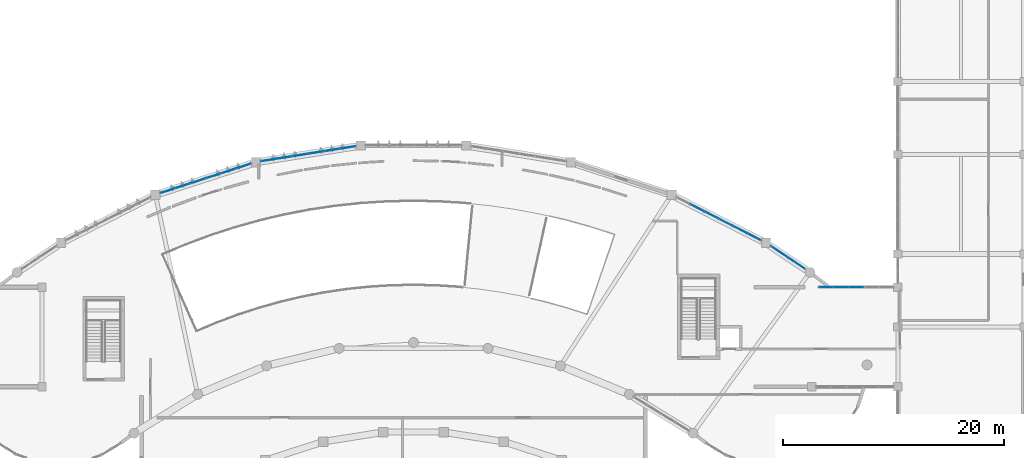
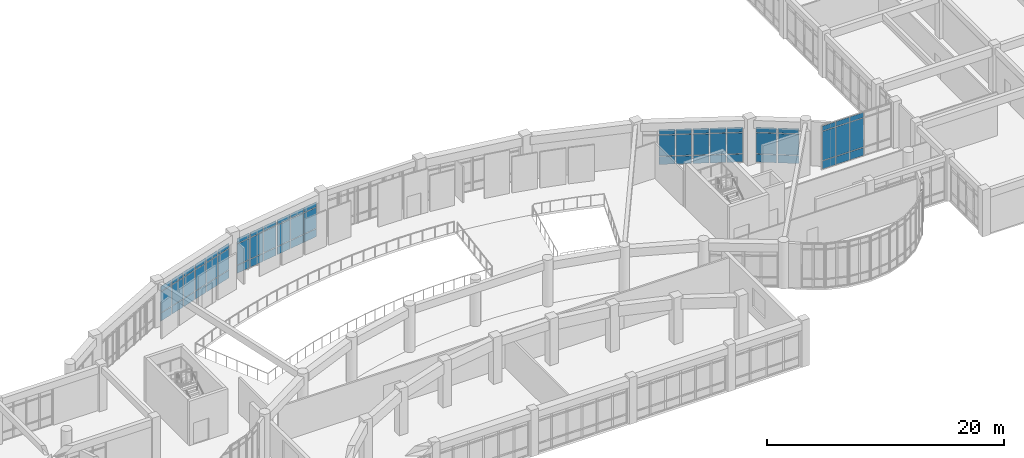
# One storey, part 43 of 68: 66 plates, 9 elements without a shape of their own.
"""IFC4 building model written with IfcOpenShell, lengths in metres."""

from ifc_helpers import new_model, si_unit, direction, frame, origin, origin_2d, place, context, subcontext, project, spatial, rectangle, extrude, material, layer, layer_set, type_object, element, aggregate, save


model = new_model("IFC4")

# Units and contexts
model_context = context("Model", 3, precision=1e-05, world=origin(), true_north=direction((0.0, 1.0)))
body_context = subcontext(model_context, "Body", "Model", "MODEL_VIEW")
ifc_project = project(units=[si_unit("LENGTHUNIT", "METRE"), si_unit("AREAUNIT", "SQUARE_METRE"), si_unit("VOLUMEUNIT", "CUBIC_METRE"), si_unit("PLANEANGLEUNIT", "RADIAN"), si_unit("MASSUNIT", "GRAM", prefix="KILO")], contexts=[model_context])

# Site, building, storey
site_placement = place(None, origin())
site = spatial("IfcSite", under=ifc_project, at=site_placement, CompositionType="ELEMENT")
building_placement = place(site_placement, origin())
building = spatial("IfcBuilding", under=site, at=building_placement, Name="Miralva Faculty of Natural Sciences", CompositionType="ELEMENT")
storey_placement = place(building_placement, frame((0.0, 0.0, 5.39990234375)))
storey = spatial("IfcBuildingStorey", under=building, at=storey_placement, Name="L01", CompositionType="ELEMENT", Elevation=5.39990234375)

# Curtain wall, plates
ifc_material = material(Name="Laminated solar-control glass", Category="glass")
ifc_layer_1 = layer(ifc_material, 0.179931640625, Name="CW-ARC-L01")
ifc_layer_set_1 = layer_set([ifc_layer_1], Name="Laminated solar-control glass")
curtain_wall_type_1 = type_object("IfcCurtainWallType", Name="CW-ARC-L01", PredefinedType="USERDEFINED", material=ifc_layer_set_1)
curtain_wall_1_placement = place(storey_placement, origin())
curtain_wall_1 = element("IfcCurtainWall", 1, at=curtain_wall_1_placement, inside=storey, type_object=curtain_wall_type_1, Name="Curtain wall CW-02 L01-35", ObjectType="UNITISED CURTAIN WALL", PredefinedType="USERDEFINED")
ifc_layer_2 = layer(ifc_material, 0.028076171875, Name="PNL-P01")
ifc_layer_set_2 = layer_set([ifc_layer_2], Name="Laminated solar-control glass")
plate_type = type_object("IfcPlateType", Name="PNL-P01", PredefinedType="CURTAIN_PANEL", material=ifc_layer_set_2)
plate_1_placement = place(storey_placement, frame((67.775146484375, 35.72021484375, 0.06005859375), z_axis=(0.0, 0.0, 1.0), x_axis=(0.951059906679, 0.309006559651, 0.0)))
plate_1 = element("IfcPlate", 2, at=plate_1_placement, type_object=plate_type, Name="CW-02 panel 1.1", PredefinedType="CURTAIN_PANEL", context=body_context, shape_type="SweptSolid", body=[
    extrude(rectangle(XDim=1.352783203125, YDim=0.028076171875, at=origin_2d()), origin(), (0.0, 0.0, 1.0), 0.81005859375),
])
plate_2_placement = place(storey_placement, frame((67.775146484375, 35.72021484375, 0.93017578125), z_axis=(0.0, 0.0, 1.0), x_axis=(0.951059906679, 0.309006559651, 0.0)))
plate_2 = element("IfcPlate", 3, at=plate_2_placement, type_object=plate_type, Name="CW-02 panel 1.2", PredefinedType="CURTAIN_PANEL", context=body_context, shape_type="SweptSolid", body=[
    extrude(rectangle(XDim=1.352783203125, YDim=0.028076171875, at=origin_2d()), origin(), (0.0, 0.0, 1.0), 2.14501953125),
])
plate_3_placement = place(storey_placement, frame((67.775146484375, 35.72021484375, 3.13525390625), z_axis=(0.0, 0.0, 1.0), x_axis=(0.951059906679, 0.309006559651, 0.0)))
plate_3 = element("IfcPlate", 4, at=plate_3_placement, type_object=plate_type, Name="CW-02 panel 1.3", PredefinedType="CURTAIN_PANEL", context=body_context, shape_type="SweptSolid", body=[
    extrude(rectangle(XDim=1.352783203125, YDim=0.028076171875, at=origin_2d()), origin(), (0.0, 0.0, 1.0), 0.510009765625),
])
plate_4_placement = place(storey_placement, frame((69.13916015625, 36.163330078125, 0.06005859375), z_axis=(0.0, 0.0, 1.0), x_axis=(0.951059906679, 0.309006559651, 0.0)))
plate_4 = element("IfcPlate", 5, at=plate_4_placement, type_object=plate_type, Name="CW-02 panel 2.1", PredefinedType="CURTAIN_PANEL", context=body_context, shape_type="SweptSolid", body=[
    extrude(rectangle(XDim=1.38525390625, YDim=0.028076171875, at=origin_2d()), origin(), (0.0, 0.0, 1.0), 0.81005859375),
])
plate_5_placement = place(storey_placement, frame((69.13916015625, 36.163330078125, 0.93017578125), z_axis=(0.0, 0.0, 1.0), x_axis=(0.951059906679, 0.309006559651, 0.0)))
plate_5 = element("IfcPlate", 6, at=plate_5_placement, type_object=plate_type, Name="CW-02 panel 2.2", PredefinedType="CURTAIN_PANEL", context=body_context, shape_type="SweptSolid", body=[
    extrude(rectangle(XDim=1.38525390625, YDim=0.028076171875, at=origin_2d()), origin(), (0.0, 0.0, 1.0), 2.14501953125),
])
plate_6_placement = place(storey_placement, frame((69.13916015625, 36.163330078125, 3.13525390625), z_axis=(0.0, 0.0, 1.0), x_axis=(0.951059906679, 0.309006559651, 0.0)))
plate_6 = element("IfcPlate", 7, at=plate_6_placement, type_object=plate_type, Name="CW-02 panel 2.3", PredefinedType="CURTAIN_PANEL", context=body_context, shape_type="SweptSolid", body=[
    extrude(rectangle(XDim=1.38525390625, YDim=0.028076171875, at=origin_2d()), origin(), (0.0, 0.0, 1.0), 0.510009765625),
])
plate_7_placement = place(storey_placement, frame((70.5029296875, 36.6064453125, 0.06005859375), z_axis=(0.0, 0.0, 1.0), x_axis=(0.951059906679, 0.309006559651, 0.0)))
plate_7 = element("IfcPlate", 8, at=plate_7_placement, type_object=plate_type, Name="CW-02 panel 3.1", PredefinedType="CURTAIN_PANEL", context=body_context, shape_type="SweptSolid", body=[
    extrude(rectangle(XDim=1.352783203125, YDim=0.028076171875, at=origin_2d()), origin(), (0.0, 0.0, 1.0), 0.81005859375),
])
plate_8_placement = place(storey_placement, frame((70.5029296875, 36.6064453125, 0.93017578125), z_axis=(0.0, 0.0, 1.0), x_axis=(0.951059906679, 0.309006559651, 0.0)))
plate_8 = element("IfcPlate", 9, at=plate_8_placement, type_object=plate_type, Name="CW-02 panel 3.2", PredefinedType="CURTAIN_PANEL", context=body_context, shape_type="SweptSolid", body=[
    extrude(rectangle(XDim=1.352783203125, YDim=0.028076171875, at=origin_2d()), origin(), (0.0, 0.0, 1.0), 2.14501953125),
])
plate_9_placement = place(storey_placement, frame((70.5029296875, 36.6064453125, 3.13525390625), z_axis=(0.0, 0.0, 1.0), x_axis=(0.951059906679, 0.309006559651, 0.0)))
plate_9 = element("IfcPlate", 10, at=plate_9_placement, type_object=plate_type, Name="CW-02 panel 3.3", PredefinedType="CURTAIN_PANEL", context=body_context, shape_type="SweptSolid", body=[
    extrude(rectangle(XDim=1.352783203125, YDim=0.028076171875, at=origin_2d()), origin(), (0.0, 0.0, 1.0), 0.510009765625),
])
aggregate(curtain_wall_1, [plate_1, plate_2, plate_3, plate_4, plate_5, plate_6, plate_7, plate_8, plate_9])

curtain_wall_2_placement = place(storey_placement, origin())
curtain_wall_2 = element("IfcCurtainWall", 11, at=curtain_wall_2_placement, inside=storey, type_object=curtain_wall_type_1, Name="Curtain wall CW-02 L01-36", ObjectType="UNITISED CURTAIN WALL", PredefinedType="USERDEFINED")
plate_10_placement = place(storey_placement, frame((71.9091796875, 37.0634765625, 0.06005859375), z_axis=(0.0, 0.0, 1.0), x_axis=(0.951061732686, 0.309000939514, 0.0)))
plate_10 = element("IfcPlate", 12, at=plate_10_placement, type_object=plate_type, Name="CW-02 panel 1.1", PredefinedType="CURTAIN_PANEL", context=body_context, shape_type="SweptSolid", body=[
    extrude(rectangle(XDim=1.3544921875, YDim=0.028076171875, at=origin_2d()), origin(), (0.0, 0.0, 1.0), 0.81005859375),
])
plate_11_placement = place(storey_placement, frame((71.9091796875, 37.0634765625, 0.93017578125), z_axis=(0.0, 0.0, 1.0), x_axis=(0.951061732686, 0.309000939514, 0.0)))
plate_11 = element("IfcPlate", 13, at=plate_11_placement, type_object=plate_type, Name="CW-02 panel 1.2", PredefinedType="CURTAIN_PANEL", context=body_context, shape_type="SweptSolid", body=[
    extrude(rectangle(XDim=1.3544921875, YDim=0.028076171875, at=origin_2d()), origin(), (0.0, 0.0, 1.0), 2.14501953125),
])
plate_12_placement = place(storey_placement, frame((71.9091796875, 37.0634765625, 3.13525390625), z_axis=(0.0, 0.0, 1.0), x_axis=(0.951061732686, 0.309000939514, 0.0)))
plate_12 = element("IfcPlate", 14, at=plate_12_placement, type_object=plate_type, Name="CW-02 panel 1.3", PredefinedType="CURTAIN_PANEL", context=body_context, shape_type="SweptSolid", body=[
    extrude(rectangle(XDim=1.3544921875, YDim=0.028076171875, at=origin_2d()), origin(), (0.0, 0.0, 1.0), 0.510009765625),
])
plate_13_placement = place(storey_placement, frame((73.274658203125, 37.507080078125, 0.06005859375), z_axis=(0.0, 0.0, 1.0), x_axis=(0.951061732686, 0.309000939514, 0.0)))
plate_13 = element("IfcPlate", 15, at=plate_13_placement, type_object=plate_type, Name="CW-02 panel 2.1", PredefinedType="CURTAIN_PANEL", context=body_context, shape_type="SweptSolid", body=[
    extrude(rectangle(XDim=1.386962890625, YDim=0.028076171875, at=origin_2d()), origin(), (0.0, 0.0, 1.0), 0.81005859375),
])
plate_14_placement = place(storey_placement, frame((73.274658203125, 37.507080078125, 0.93017578125), z_axis=(0.0, 0.0, 1.0), x_axis=(0.951061732686, 0.309000939514, 0.0)))
plate_14 = element("IfcPlate", 16, at=plate_14_placement, type_object=plate_type, Name="CW-02 panel 2.2", PredefinedType="CURTAIN_PANEL", context=body_context, shape_type="SweptSolid", body=[
    extrude(rectangle(XDim=1.386962890625, YDim=0.028076171875, at=origin_2d()), origin(), (0.0, 0.0, 1.0), 2.14501953125),
])
plate_15_placement = place(storey_placement, frame((73.274658203125, 37.507080078125, 3.13525390625), z_axis=(0.0, 0.0, 1.0), x_axis=(0.951061732686, 0.309000939514, 0.0)))
plate_15 = element("IfcPlate", 17, at=plate_15_placement, type_object=plate_type, Name="CW-02 panel 2.3", PredefinedType="CURTAIN_PANEL", context=body_context, shape_type="SweptSolid", body=[
    extrude(rectangle(XDim=1.386962890625, YDim=0.028076171875, at=origin_2d()), origin(), (0.0, 0.0, 1.0), 0.510009765625),
])
plate_16_placement = place(storey_placement, frame((74.64013671875, 37.95068359375, 0.06005859375), z_axis=(0.0, 0.0, 1.0), x_axis=(0.951061732686, 0.309000939514, 0.0)))
plate_16 = element("IfcPlate", 18, at=plate_16_placement, type_object=plate_type, Name="CW-02 panel 3.1", PredefinedType="CURTAIN_PANEL", context=body_context, shape_type="SweptSolid", body=[
    extrude(rectangle(XDim=1.3544921875, YDim=0.028076171875, at=origin_2d()), origin(), (0.0, 0.0, 1.0), 0.81005859375),
])
plate_17_placement = place(storey_placement, frame((74.64013671875, 37.95068359375, 0.93017578125), z_axis=(0.0, 0.0, 1.0), x_axis=(0.951061732686, 0.309000939514, 0.0)))
plate_17 = element("IfcPlate", 19, at=plate_17_placement, type_object=plate_type, Name="CW-02 panel 3.2", PredefinedType="CURTAIN_PANEL", context=body_context, shape_type="SweptSolid", body=[
    extrude(rectangle(XDim=1.3544921875, YDim=0.028076171875, at=origin_2d()), origin(), (0.0, 0.0, 1.0), 2.14501953125),
])
plate_18_placement = place(storey_placement, frame((74.64013671875, 37.95068359375, 3.13525390625), z_axis=(0.0, 0.0, 1.0), x_axis=(0.951061732686, 0.309000939514, 0.0)))
plate_18 = element("IfcPlate", 20, at=plate_18_placement, type_object=plate_type, Name="CW-02 panel 3.3", PredefinedType="CURTAIN_PANEL", context=body_context, shape_type="SweptSolid", body=[
    extrude(rectangle(XDim=1.3544921875, YDim=0.028076171875, at=origin_2d()), origin(), (0.0, 0.0, 1.0), 0.510009765625),
])
aggregate(curtain_wall_2, [plate_10, plate_11, plate_12, plate_13, plate_14, plate_15, plate_16, plate_17, plate_18])

curtain_wall_3_placement = place(storey_placement, origin())
curtain_wall_3 = element("IfcCurtainWall", 21, at=curtain_wall_3_placement, inside=storey, type_object=curtain_wall_type_1, Name="Curtain wall CW-02 L01-37", ObjectType="UNITISED CURTAIN WALL", PredefinedType="USERDEFINED")
plate_19_placement = place(storey_placement, frame((76.9052734375, 38.49609375, 0.06005859375), z_axis=(0.0, 0.0, 1.0), x_axis=(0.987687538377, 0.15643952996, 0.0)))
plate_19 = element("IfcPlate", 22, at=plate_19_placement, type_object=plate_type, Name="CW-02 panel 1.1", PredefinedType="CURTAIN_PANEL", context=body_context, shape_type="SweptSolid", body=[
    extrude(rectangle(XDim=1.359619140625, YDim=0.028076171875, at=origin_2d()), origin(), (0.0, 0.0, 1.0), 0.81005859375),
])
plate_20_placement = place(storey_placement, frame((76.9052734375, 38.49609375, 0.93017578125), z_axis=(0.0, 0.0, 1.0), x_axis=(0.987687538377, 0.15643952996, 0.0)))
plate_20 = element("IfcPlate", 23, at=plate_20_placement, type_object=plate_type, Name="CW-02 panel 1.2", PredefinedType="CURTAIN_PANEL", context=body_context, shape_type="SweptSolid", body=[
    extrude(rectangle(XDim=1.359619140625, YDim=0.028076171875, at=origin_2d()), origin(), (0.0, 0.0, 1.0), 2.14501953125),
])
plate_21_placement = place(storey_placement, frame((76.9052734375, 38.49609375, 3.13525390625), z_axis=(0.0, 0.0, 1.0), x_axis=(0.987687538377, 0.15643952996, 0.0)))
plate_21 = element("IfcPlate", 24, at=plate_21_placement, type_object=plate_type, Name="CW-02 panel 1.3", PredefinedType="CURTAIN_PANEL", context=body_context, shape_type="SweptSolid", body=[
    extrude(rectangle(XDim=1.359619140625, YDim=0.028076171875, at=origin_2d()), origin(), (0.0, 0.0, 1.0), 0.510009765625),
])
plate_22_placement = place(storey_placement, frame((78.328369140625, 38.721435546875, 0.06005859375), z_axis=(0.0, 0.0, 1.0), x_axis=(0.987687538377, 0.15643952996, 0.0)))
plate_22 = element("IfcPlate", 25, at=plate_22_placement, type_object=plate_type, Name="CW-02 panel 2.1", PredefinedType="CURTAIN_PANEL", context=body_context, shape_type="SweptSolid", body=[
    extrude(rectangle(XDim=1.39208984375, YDim=0.028076171875, at=origin_2d()), origin(), (0.0, 0.0, 1.0), 0.81005859375),
])
plate_23_placement = place(storey_placement, frame((78.328369140625, 38.721435546875, 0.93017578125), z_axis=(0.0, 0.0, 1.0), x_axis=(0.987687538377, 0.15643952996, 0.0)))
plate_23 = element("IfcPlate", 26, at=plate_23_placement, type_object=plate_type, Name="CW-02 panel 2.2", PredefinedType="CURTAIN_PANEL", context=body_context, shape_type="SweptSolid", body=[
    extrude(rectangle(XDim=1.39208984375, YDim=0.028076171875, at=origin_2d()), origin(), (0.0, 0.0, 1.0), 2.14501953125),
])
plate_24_placement = place(storey_placement, frame((78.328369140625, 38.721435546875, 3.13525390625), z_axis=(0.0, 0.0, 1.0), x_axis=(0.987687538377, 0.15643952996, 0.0)))
plate_24 = element("IfcPlate", 27, at=plate_24_placement, type_object=plate_type, Name="CW-02 panel 2.3", PredefinedType="CURTAIN_PANEL", context=body_context, shape_type="SweptSolid", body=[
    extrude(rectangle(XDim=1.39208984375, YDim=0.028076171875, at=origin_2d()), origin(), (0.0, 0.0, 1.0), 0.510009765625),
])
plate_25_placement = place(storey_placement, frame((79.751220703125, 38.94677734375, 0.06005859375), z_axis=(0.0, 0.0, 1.0), x_axis=(0.987687538377, 0.15643952996, 0.0)))
plate_25 = element("IfcPlate", 28, at=plate_25_placement, type_object=plate_type, Name="CW-02 panel 3.1", PredefinedType="CURTAIN_PANEL", context=body_context, shape_type="SweptSolid", body=[
    extrude(rectangle(XDim=1.359619140625, YDim=0.028076171875, at=origin_2d()), origin(), (0.0, 0.0, 1.0), 0.81005859375),
])
plate_26_placement = place(storey_placement, frame((79.751220703125, 38.94677734375, 0.93017578125), z_axis=(0.0, 0.0, 1.0), x_axis=(0.987687538377, 0.15643952996, 0.0)))
plate_26 = element("IfcPlate", 29, at=plate_26_placement, type_object=plate_type, Name="CW-02 panel 3.2", PredefinedType="CURTAIN_PANEL", context=body_context, shape_type="SweptSolid", body=[
    extrude(rectangle(XDim=1.359619140625, YDim=0.028076171875, at=origin_2d()), origin(), (0.0, 0.0, 1.0), 2.14501953125),
])
plate_27_placement = place(storey_placement, frame((79.751220703125, 38.94677734375, 3.13525390625), z_axis=(0.0, 0.0, 1.0), x_axis=(0.987687538377, 0.15643952996, 0.0)))
plate_27 = element("IfcPlate", 30, at=plate_27_placement, type_object=plate_type, Name="CW-02 panel 3.3", PredefinedType="CURTAIN_PANEL", context=body_context, shape_type="SweptSolid", body=[
    extrude(rectangle(XDim=1.359619140625, YDim=0.028076171875, at=origin_2d()), origin(), (0.0, 0.0, 1.0), 0.510009765625),
])
aggregate(curtain_wall_3, [plate_19, plate_20, plate_21, plate_22, plate_23, plate_24, plate_25, plate_26, plate_27])

curtain_wall_4_placement = place(storey_placement, origin())
curtain_wall_4 = element("IfcCurtainWall", 31, at=curtain_wall_4_placement, inside=storey, type_object=curtain_wall_type_1, Name="Curtain wall CW-02 L01-38", ObjectType="UNITISED CURTAIN WALL", PredefinedType="USERDEFINED")
plate_28_placement = place(storey_placement, frame((81.218505859375, 39.17919921875, 0.06005859375), z_axis=(0.0, 0.0, 1.0), x_axis=(0.987690225624, 0.156422562973, 0.0)))
plate_28 = element("IfcPlate", 32, at=plate_28_placement, type_object=plate_type, Name="CW-02 panel 1.1", PredefinedType="CURTAIN_PANEL", context=body_context, shape_type="SweptSolid", body=[
    extrude(rectangle(XDim=1.361083984375, YDim=0.028076171875, at=origin_2d()), origin(), (0.0, 0.0, 1.0), 0.81005859375),
])
plate_29_placement = place(storey_placement, frame((81.218505859375, 39.17919921875, 0.93017578125), z_axis=(0.0, 0.0, 1.0), x_axis=(0.987690225624, 0.156422562973, 0.0)))
plate_29 = element("IfcPlate", 33, at=plate_29_placement, type_object=plate_type, Name="CW-02 panel 1.2", PredefinedType="CURTAIN_PANEL", context=body_context, shape_type="SweptSolid", body=[
    extrude(rectangle(XDim=1.361083984375, YDim=0.028076171875, at=origin_2d()), origin(), (0.0, 0.0, 1.0), 2.14501953125),
])
plate_30_placement = place(storey_placement, frame((81.218505859375, 39.17919921875, 3.13525390625), z_axis=(0.0, 0.0, 1.0), x_axis=(0.987690225624, 0.156422562973, 0.0)))
plate_30 = element("IfcPlate", 34, at=plate_30_placement, type_object=plate_type, Name="CW-02 panel 1.3", PredefinedType="CURTAIN_PANEL", context=body_context, shape_type="SweptSolid", body=[
    extrude(rectangle(XDim=1.361083984375, YDim=0.028076171875, at=origin_2d()), origin(), (0.0, 0.0, 1.0), 0.510009765625),
])
plate_31_placement = place(storey_placement, frame((82.64306640625, 39.40478515625, 0.06005859375), z_axis=(0.0, 0.0, 1.0), x_axis=(0.987690225624, 0.156422562973, 0.0)))
plate_31 = element("IfcPlate", 35, at=plate_31_placement, type_object=plate_type, Name="CW-02 panel 2.1", PredefinedType="CURTAIN_PANEL", context=body_context, shape_type="SweptSolid", body=[
    extrude(rectangle(XDim=1.3935546875, YDim=0.028076171875, at=origin_2d()), origin(), (0.0, 0.0, 1.0), 0.81005859375),
])
plate_32_placement = place(storey_placement, frame((82.64306640625, 39.40478515625, 0.93017578125), z_axis=(0.0, 0.0, 1.0), x_axis=(0.987690225624, 0.156422562973, 0.0)))
plate_32 = element("IfcPlate", 36, at=plate_32_placement, type_object=plate_type, Name="CW-02 panel 2.2", PredefinedType="CURTAIN_PANEL", context=body_context, shape_type="SweptSolid", body=[
    extrude(rectangle(XDim=1.3935546875, YDim=0.028076171875, at=origin_2d()), origin(), (0.0, 0.0, 1.0), 2.14501953125),
])
plate_33_placement = place(storey_placement, frame((82.64306640625, 39.40478515625, 3.13525390625), z_axis=(0.0, 0.0, 1.0), x_axis=(0.987690225624, 0.156422562973, 0.0)))
plate_33 = element("IfcPlate", 37, at=plate_33_placement, type_object=plate_type, Name="CW-02 panel 2.3", PredefinedType="CURTAIN_PANEL", context=body_context, shape_type="SweptSolid", body=[
    extrude(rectangle(XDim=1.3935546875, YDim=0.028076171875, at=origin_2d()), origin(), (0.0, 0.0, 1.0), 0.510009765625),
])
plate_34_placement = place(storey_placement, frame((84.067626953125, 39.63037109375, 0.06005859375), z_axis=(0.0, 0.0, 1.0), x_axis=(0.987690225624, 0.156422562973, 0.0)))
plate_34 = element("IfcPlate", 38, at=plate_34_placement, type_object=plate_type, Name="CW-02 panel 3.1", PredefinedType="CURTAIN_PANEL", context=body_context, shape_type="SweptSolid", body=[
    extrude(rectangle(XDim=1.361083984375, YDim=0.028076171875, at=origin_2d()), origin(), (0.0, 0.0, 1.0), 0.81005859375),
])
plate_35_placement = place(storey_placement, frame((84.067626953125, 39.63037109375, 0.93017578125), z_axis=(0.0, 0.0, 1.0), x_axis=(0.987690225624, 0.156422562973, 0.0)))
plate_35 = element("IfcPlate", 39, at=plate_35_placement, type_object=plate_type, Name="CW-02 panel 3.2", PredefinedType="CURTAIN_PANEL", context=body_context, shape_type="SweptSolid", body=[
    extrude(rectangle(XDim=1.361083984375, YDim=0.028076171875, at=origin_2d()), origin(), (0.0, 0.0, 1.0), 2.14501953125),
])
plate_36_placement = place(storey_placement, frame((84.067626953125, 39.63037109375, 3.13525390625), z_axis=(0.0, 0.0, 1.0), x_axis=(0.987690225624, 0.156422562973, 0.0)))
plate_36 = element("IfcPlate", 40, at=plate_36_placement, type_object=plate_type, Name="CW-02 panel 3.3", PredefinedType="CURTAIN_PANEL", context=body_context, shape_type="SweptSolid", body=[
    extrude(rectangle(XDim=1.361083984375, YDim=0.028076171875, at=origin_2d()), origin(), (0.0, 0.0, 1.0), 0.510009765625),
])
aggregate(curtain_wall_4, [plate_28, plate_29, plate_30, plate_31, plate_32, plate_33, plate_34, plate_35, plate_36])

curtain_wall_5_placement = place(storey_placement, origin())
curtain_wall_5 = element("IfcCurtainWall", 41, at=curtain_wall_5_placement, inside=storey, type_object=curtain_wall_type_1, Name="Curtain wall CW-02 L01-43", ObjectType="UNITISED CURTAIN WALL", PredefinedType="USERDEFINED")
plate_37_placement = place(storey_placement, frame((115.68310546875, 34.164794921875, 0.06005859375), z_axis=(0.0, 0.0, 1.0), x_axis=(0.89101812581, -0.453967729556, 0.0)))
plate_37 = element("IfcPlate", 42, at=plate_37_placement, type_object=plate_type, Name="CW-02 panel 2.1", PredefinedType="CURTAIN_PANEL", context=body_context, shape_type="SweptSolid", body=[
    extrude(rectangle(XDim=1.375244140625, YDim=0.028076171875, at=origin_2d()), origin(), (0.0, 0.0, 1.0), 0.81005859375),
])
plate_38_placement = place(storey_placement, frame((115.68310546875, 34.164794921875, 0.93017578125), z_axis=(0.0, 0.0, 1.0), x_axis=(0.89101812581, -0.453967729556, 0.0)))
plate_38 = element("IfcPlate", 43, at=plate_38_placement, type_object=plate_type, Name="CW-02 panel 2.2", PredefinedType="CURTAIN_PANEL", context=body_context, shape_type="SweptSolid", body=[
    extrude(rectangle(XDim=1.375244140625, YDim=0.028076171875, at=origin_2d()), origin(), (0.0, 0.0, 1.0), 2.14501953125),
])
plate_39_placement = place(storey_placement, frame((115.68310546875, 34.164794921875, 3.13525390625), z_axis=(0.0, 0.0, 1.0), x_axis=(0.89101812581, -0.453967729556, 0.0)))
plate_39 = element("IfcPlate", 44, at=plate_39_placement, type_object=plate_type, Name="CW-02 panel 2.3", PredefinedType="CURTAIN_PANEL", context=body_context, shape_type="SweptSolid", body=[
    extrude(rectangle(XDim=1.375244140625, YDim=0.028076171875, at=origin_2d()), origin(), (0.0, 0.0, 1.0), 0.510009765625),
])
plate_40_placement = place(storey_placement, frame((116.951904296875, 33.518310546875, 0.06005859375), z_axis=(0.0, 0.0, 1.0), x_axis=(0.89101812581, -0.453967729556, 0.0)))
plate_40 = element("IfcPlate", 45, at=plate_40_placement, type_object=plate_type, Name="CW-02 panel 3.1", PredefinedType="CURTAIN_PANEL", context=body_context, shape_type="SweptSolid", body=[
    extrude(rectangle(XDim=1.3427734375, YDim=0.028076171875, at=origin_2d()), origin(), (0.0, 0.0, 1.0), 0.81005859375),
])
plate_41_placement = place(storey_placement, frame((116.951904296875, 33.518310546875, 0.93017578125), z_axis=(0.0, 0.0, 1.0), x_axis=(0.89101812581, -0.453967729556, 0.0)))
plate_41 = element("IfcPlate", 46, at=plate_41_placement, type_object=plate_type, Name="CW-02 panel 3.2", PredefinedType="CURTAIN_PANEL", context=body_context, shape_type="SweptSolid", body=[
    extrude(rectangle(XDim=1.3427734375, YDim=0.028076171875, at=origin_2d()), origin(), (0.0, 0.0, 1.0), 2.14501953125),
])
plate_42_placement = place(storey_placement, frame((116.951904296875, 33.518310546875, 3.13525390625), z_axis=(0.0, 0.0, 1.0), x_axis=(0.89101812581, -0.453967729556, 0.0)))
plate_42 = element("IfcPlate", 47, at=plate_42_placement, type_object=plate_type, Name="CW-02 panel 3.3", PredefinedType="CURTAIN_PANEL", context=body_context, shape_type="SweptSolid", body=[
    extrude(rectangle(XDim=1.3427734375, YDim=0.028076171875, at=origin_2d()), origin(), (0.0, 0.0, 1.0), 0.510009765625),
])
aggregate(curtain_wall_5, [plate_37, plate_38, plate_39, plate_40, plate_41, plate_42])

curtain_wall_6_placement = place(storey_placement, origin())
curtain_wall_6 = element("IfcCurtainWall", 48, at=curtain_wall_6_placement, inside=storey, type_object=curtain_wall_type_1, Name="Curtain wall CW-02 L01-44", ObjectType="UNITISED CURTAIN WALL", PredefinedType="USERDEFINED")
plate_43_placement = place(storey_placement, frame((118.260498046875, 32.8515625, 0.06005859375), z_axis=(0.0, 0.0, 1.0), x_axis=(0.891003330476, -0.453996767698, 0.0)))
plate_43 = element("IfcPlate", 49, at=plate_43_placement, type_object=plate_type, Name="CW-02 panel 1.1", PredefinedType="CURTAIN_PANEL", context=body_context, shape_type="SweptSolid", body=[
    extrude(rectangle(XDim=1.344482421875, YDim=0.028076171875, at=origin_2d()), origin(), (0.0, 0.0, 1.0), 0.81005859375),
])
plate_44_placement = place(storey_placement, frame((118.260498046875, 32.8515625, 0.93017578125), z_axis=(0.0, 0.0, 1.0), x_axis=(0.891003330476, -0.453996767698, 0.0)))
plate_44 = element("IfcPlate", 50, at=plate_44_placement, type_object=plate_type, Name="CW-02 panel 1.2", PredefinedType="CURTAIN_PANEL", context=body_context, shape_type="SweptSolid", body=[
    extrude(rectangle(XDim=1.344482421875, YDim=0.028076171875, at=origin_2d()), origin(), (0.0, 0.0, 1.0), 2.14501953125),
])
plate_45_placement = place(storey_placement, frame((118.260498046875, 32.8515625, 3.13525390625), z_axis=(0.0, 0.0, 1.0), x_axis=(0.891003330476, -0.453996767698, 0.0)))
plate_45 = element("IfcPlate", 51, at=plate_45_placement, type_object=plate_type, Name="CW-02 panel 1.3", PredefinedType="CURTAIN_PANEL", context=body_context, shape_type="SweptSolid", body=[
    extrude(rectangle(XDim=1.344482421875, YDim=0.028076171875, at=origin_2d()), origin(), (0.0, 0.0, 1.0), 0.510009765625),
])
plate_46_placement = place(storey_placement, frame((119.53076171875, 32.2041015625, 0.06005859375), z_axis=(0.0, 0.0, 1.0), x_axis=(0.891003330476, -0.453996767698, 0.0)))
plate_46 = element("IfcPlate", 52, at=plate_46_placement, type_object=plate_type, Name="CW-02 panel 2.1", PredefinedType="CURTAIN_PANEL", context=body_context, shape_type="SweptSolid", body=[
    extrude(rectangle(XDim=1.376953125, YDim=0.028076171875, at=origin_2d()), origin(), (0.0, 0.0, 1.0), 0.81005859375),
])
plate_47_placement = place(storey_placement, frame((119.53076171875, 32.2041015625, 0.93017578125), z_axis=(0.0, 0.0, 1.0), x_axis=(0.891003330476, -0.453996767698, 0.0)))
plate_47 = element("IfcPlate", 53, at=plate_47_placement, type_object=plate_type, Name="CW-02 panel 2.2", PredefinedType="CURTAIN_PANEL", context=body_context, shape_type="SweptSolid", body=[
    extrude(rectangle(XDim=1.376953125, YDim=0.028076171875, at=origin_2d()), origin(), (0.0, 0.0, 1.0), 2.14501953125),
])
plate_48_placement = place(storey_placement, frame((119.53076171875, 32.2041015625, 3.13525390625), z_axis=(0.0, 0.0, 1.0), x_axis=(0.891003330476, -0.453996767698, 0.0)))
plate_48 = element("IfcPlate", 54, at=plate_48_placement, type_object=plate_type, Name="CW-02 panel 2.3", PredefinedType="CURTAIN_PANEL", context=body_context, shape_type="SweptSolid", body=[
    extrude(rectangle(XDim=1.376953125, YDim=0.028076171875, at=origin_2d()), origin(), (0.0, 0.0, 1.0), 0.510009765625),
])
plate_49_placement = place(storey_placement, frame((120.80126953125, 31.556884765625, 0.06005859375), z_axis=(0.0, 0.0, 1.0), x_axis=(0.891003330476, -0.453996767698, 0.0)))
plate_49 = element("IfcPlate", 55, at=plate_49_placement, type_object=plate_type, Name="CW-02 panel 3.1", PredefinedType="CURTAIN_PANEL", context=body_context, shape_type="SweptSolid", body=[
    extrude(rectangle(XDim=1.344482421875, YDim=0.028076171875, at=origin_2d()), origin(), (0.0, 0.0, 1.0), 0.81005859375),
])
plate_50_placement = place(storey_placement, frame((120.80126953125, 31.556884765625, 0.93017578125), z_axis=(0.0, 0.0, 1.0), x_axis=(0.891003330476, -0.453996767698, 0.0)))
plate_50 = element("IfcPlate", 56, at=plate_50_placement, type_object=plate_type, Name="CW-02 panel 3.2", PredefinedType="CURTAIN_PANEL", context=body_context, shape_type="SweptSolid", body=[
    extrude(rectangle(XDim=1.344482421875, YDim=0.028076171875, at=origin_2d()), origin(), (0.0, 0.0, 1.0), 2.14501953125),
])
plate_51_placement = place(storey_placement, frame((120.80126953125, 31.556884765625, 3.13525390625), z_axis=(0.0, 0.0, 1.0), x_axis=(0.891003330476, -0.453996767698, 0.0)))
plate_51 = element("IfcPlate", 57, at=plate_51_placement, type_object=plate_type, Name="CW-02 panel 3.3", PredefinedType="CURTAIN_PANEL", context=body_context, shape_type="SweptSolid", body=[
    extrude(rectangle(XDim=1.344482421875, YDim=0.028076171875, at=origin_2d()), origin(), (0.0, 0.0, 1.0), 0.510009765625),
])
aggregate(curtain_wall_6, [plate_43, plate_44, plate_45, plate_46, plate_47, plate_48, plate_49, plate_50, plate_51])

curtain_wall_7_placement = place(storey_placement, origin())
curtain_wall_7 = element("IfcCurtainWall", 58, at=curtain_wall_7_placement, inside=storey, type_object=curtain_wall_type_1, Name="Curtain wall CW-02 L01-45", ObjectType="UNITISED CURTAIN WALL", PredefinedType="USERDEFINED")
plate_52_placement = place(storey_placement, frame((123.07373046875, 30.208251953125, 0.06005859375), z_axis=(0.0, 0.0, 1.0), x_axis=(0.831474911379, -0.555562302309, 0.0)))
plate_52 = element("IfcPlate", 59, at=plate_52_placement, type_object=plate_type, Name="CW-02 panel 1.1", PredefinedType="CURTAIN_PANEL", context=body_context, shape_type="SweptSolid", body=[
    extrude(rectangle(XDim=1.769775390625, YDim=0.028076171875, at=origin_2d()), origin(), (0.0, 0.0, 1.0), 0.81005859375),
])
plate_53_placement = place(storey_placement, frame((123.07373046875, 30.208251953125, 0.93017578125), z_axis=(0.0, 0.0, 1.0), x_axis=(0.831474911379, -0.555562302309, 0.0)))
plate_53 = element("IfcPlate", 60, at=plate_53_placement, type_object=plate_type, Name="CW-02 panel 1.2", PredefinedType="CURTAIN_PANEL", context=body_context, shape_type="SweptSolid", body=[
    extrude(rectangle(XDim=1.769775390625, YDim=0.028076171875, at=origin_2d()), origin(), (0.0, 0.0, 1.0), 2.14501953125),
])
plate_54_placement = place(storey_placement, frame((123.07373046875, 30.208251953125, 3.13525390625), z_axis=(0.0, 0.0, 1.0), x_axis=(0.831474911379, -0.555562302309, 0.0)))
plate_54 = element("IfcPlate", 61, at=plate_54_placement, type_object=plate_type, Name="CW-02 panel 1.3", PredefinedType="CURTAIN_PANEL", context=body_context, shape_type="SweptSolid", body=[
    extrude(rectangle(XDim=1.769775390625, YDim=0.028076171875, at=origin_2d()), origin(), (0.0, 0.0, 1.0), 0.510009765625),
])
aggregate(curtain_wall_7, [plate_52, plate_53, plate_54])

curtain_wall_8_placement = place(storey_placement, origin())
curtain_wall_8 = element("IfcCurtainWall", 62, at=curtain_wall_8_placement, inside=storey, type_object=curtain_wall_type_1, Name="Curtain wall CW-02 L01-46", ObjectType="UNITISED CURTAIN WALL", PredefinedType="USERDEFINED")
plate_55_placement = place(storey_placement, frame((124.638916015625, 29.16259765625, 0.06005859375), z_axis=(0.0, 0.0, 1.0), x_axis=(0.831475446348, -0.555561501654, 0.0)))
plate_55 = element("IfcPlate", 63, at=plate_55_placement, type_object=plate_type, Name="CW-02 panel 1.1", PredefinedType="CURTAIN_PANEL", context=body_context, shape_type="SweptSolid", body=[
    extrude(rectangle(XDim=1.744873046875, YDim=0.028076171875, at=origin_2d()), origin(), (0.0, 0.0, 1.0), 0.81005859375),
])
plate_56_placement = place(storey_placement, frame((124.638916015625, 29.16259765625, 0.93017578125), z_axis=(0.0, 0.0, 1.0), x_axis=(0.831475446348, -0.555561501654, 0.0)))
plate_56 = element("IfcPlate", 64, at=plate_56_placement, type_object=plate_type, Name="CW-02 panel 1.2", PredefinedType="CURTAIN_PANEL", context=body_context, shape_type="SweptSolid", body=[
    extrude(rectangle(XDim=1.744873046875, YDim=0.028076171875, at=origin_2d()), origin(), (0.0, 0.0, 1.0), 2.14501953125),
])
plate_57_placement = place(storey_placement, frame((124.638916015625, 29.16259765625, 3.13525390625), z_axis=(0.0, 0.0, 1.0), x_axis=(0.831475446348, -0.555561501654, 0.0)))
plate_57 = element("IfcPlate", 65, at=plate_57_placement, type_object=plate_type, Name="CW-02 panel 1.3", PredefinedType="CURTAIN_PANEL", context=body_context, shape_type="SweptSolid", body=[
    extrude(rectangle(XDim=1.744873046875, YDim=0.028076171875, at=origin_2d()), origin(), (0.0, 0.0, 1.0), 0.510009765625),
])
aggregate(curtain_wall_8, [plate_55, plate_56, plate_57])

ifc_layer_3 = layer(ifc_material, 0.179931640625, Name="CW-COM-L01")
ifc_layer_set_3 = layer_set([ifc_layer_3], Name="Laminated solar-control glass")
curtain_wall_type_2 = type_object("IfcCurtainWallType", Name="CW-COM-L01", PredefinedType="USERDEFINED", material=ifc_layer_set_3)
curtain_wall_9_placement = place(storey_placement, origin())
curtain_wall_9 = element("IfcCurtainWall", 66, at=curtain_wall_9_placement, inside=storey, type_object=curtain_wall_type_2, Name="Curtain wall CW-10 L01-293", ObjectType="UNITISED CURTAIN WALL", PredefinedType="USERDEFINED")
plate_58_placement = place(storey_placement, frame((127.3173828125, 27.0, 0.06005859375), z_axis=(0.0, 0.0, 1.0), x_axis=(1.0, 0.0, 0.0)))
plate_58 = element("IfcPlate", 67, at=plate_58_placement, type_object=plate_type, Name="CW-10 panel 1.1", PredefinedType="CURTAIN_PANEL", context=body_context, shape_type="SweptSolid", body=[
    extrude(rectangle(XDim=1.27490234375, YDim=0.028076171875, at=origin_2d()), origin(), (0.0, 0.0, 1.0), 0.81005859375),
])
plate_59_placement = place(storey_placement, frame((127.3173828125, 27.0, 0.93017578125), z_axis=(0.0, 0.0, 1.0), x_axis=(1.0, 0.0, 0.0)))
plate_59 = element("IfcPlate", 68, at=plate_59_placement, type_object=plate_type, Name="CW-10 panel 1.2", PredefinedType="CURTAIN_PANEL", context=body_context, shape_type="SweptSolid", body=[
    extrude(rectangle(XDim=1.27490234375, YDim=0.028076171875, at=origin_2d()), origin(), (0.0, 0.0, 1.0), 2.989990234375),
])
plate_60_placement = place(storey_placement, frame((127.3173828125, 27.0, 3.97998046875), z_axis=(0.0, 0.0, 1.0), x_axis=(1.0, 0.0, 0.0)))
plate_60 = element("IfcPlate", 69, at=plate_60_placement, type_object=plate_type, Name="CW-10 panel 1.3", PredefinedType="CURTAIN_PANEL", context=body_context, shape_type="SweptSolid", body=[
    extrude(rectangle(XDim=1.27490234375, YDim=0.028076171875, at=origin_2d()), origin(), (0.0, 0.0, 1.0), 0.510009765625),
])
plate_61_placement = place(storey_placement, frame((128.66748046875, 27.0, 0.06005859375), z_axis=(0.0, 0.0, 1.0), x_axis=(1.0, 0.0, 0.0)))
plate_61 = element("IfcPlate", 70, at=plate_61_placement, type_object=plate_type, Name="CW-10 panel 2.1", PredefinedType="CURTAIN_PANEL", context=body_context, shape_type="SweptSolid", body=[
    extrude(rectangle(XDim=1.304931640625, YDim=0.028076171875, at=origin_2d()), origin(), (0.0, 0.0, 1.0), 0.81005859375),
])
plate_62_placement = place(storey_placement, frame((128.66748046875, 27.0, 0.93017578125), z_axis=(0.0, 0.0, 1.0), x_axis=(1.0, 0.0, 0.0)))
plate_62 = element("IfcPlate", 71, at=plate_62_placement, type_object=plate_type, Name="CW-10 panel 2.2", PredefinedType="CURTAIN_PANEL", context=body_context, shape_type="SweptSolid", body=[
    extrude(rectangle(XDim=1.304931640625, YDim=0.028076171875, at=origin_2d()), origin(), (0.0, 0.0, 1.0), 2.989990234375),
])
plate_63_placement = place(storey_placement, frame((128.66748046875, 27.0, 3.97998046875), z_axis=(0.0, 0.0, 1.0), x_axis=(1.0, 0.0, 0.0)))
plate_63 = element("IfcPlate", 72, at=plate_63_placement, type_object=plate_type, Name="CW-10 panel 2.3", PredefinedType="CURTAIN_PANEL", context=body_context, shape_type="SweptSolid", body=[
    extrude(rectangle(XDim=1.304931640625, YDim=0.028076171875, at=origin_2d()), origin(), (0.0, 0.0, 1.0), 0.510009765625),
])
plate_64_placement = place(storey_placement, frame((130.032470703125, 27.0, 0.06005859375), z_axis=(0.0, 0.0, 1.0), x_axis=(1.0, 0.0, 0.0)))
plate_64 = element("IfcPlate", 73, at=plate_64_placement, type_object=plate_type, Name="CW-10 panel 3.1", PredefinedType="CURTAIN_PANEL", context=body_context, shape_type="SweptSolid", body=[
    extrude(rectangle(XDim=1.304931640625, YDim=0.028076171875, at=origin_2d()), origin(), (0.0, 0.0, 1.0), 0.81005859375),
])
plate_65_placement = place(storey_placement, frame((130.032470703125, 27.0, 0.93017578125), z_axis=(0.0, 0.0, 1.0), x_axis=(1.0, 0.0, 0.0)))
plate_65 = element("IfcPlate", 74, at=plate_65_placement, type_object=plate_type, Name="CW-10 panel 3.2", PredefinedType="CURTAIN_PANEL", context=body_context, shape_type="SweptSolid", body=[
    extrude(rectangle(XDim=1.304931640625, YDim=0.028076171875, at=origin_2d()), origin(), (0.0, 0.0, 1.0), 2.989990234375),
])
plate_66_placement = place(storey_placement, frame((130.032470703125, 27.0, 3.97998046875), z_axis=(0.0, 0.0, 1.0), x_axis=(1.0, 0.0, 0.0)))
plate_66 = element("IfcPlate", 75, at=plate_66_placement, type_object=plate_type, Name="CW-10 panel 3.3", PredefinedType="CURTAIN_PANEL", context=body_context, shape_type="SweptSolid", body=[
    extrude(rectangle(XDim=1.304931640625, YDim=0.028076171875, at=origin_2d()), origin(), (0.0, 0.0, 1.0), 0.510009765625),
])
aggregate(curtain_wall_9, [plate_58, plate_59, plate_60, plate_61, plate_62, plate_63, plate_64, plate_65, plate_66])

save(model, "model.ifc")
